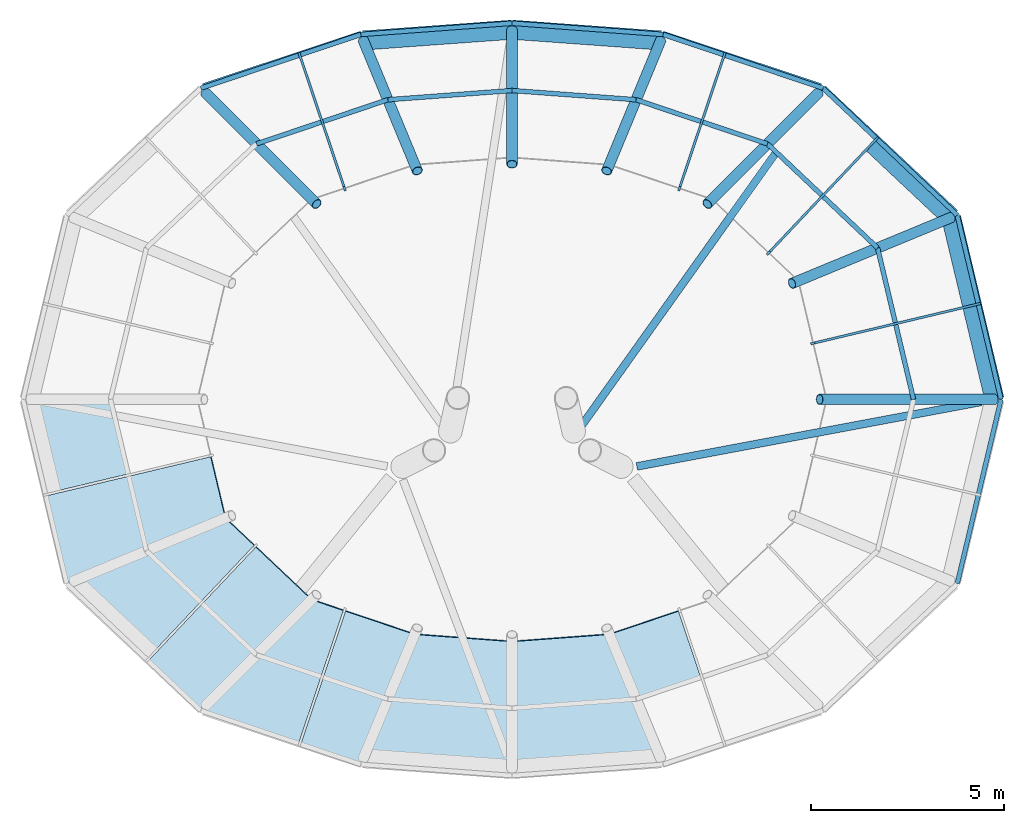
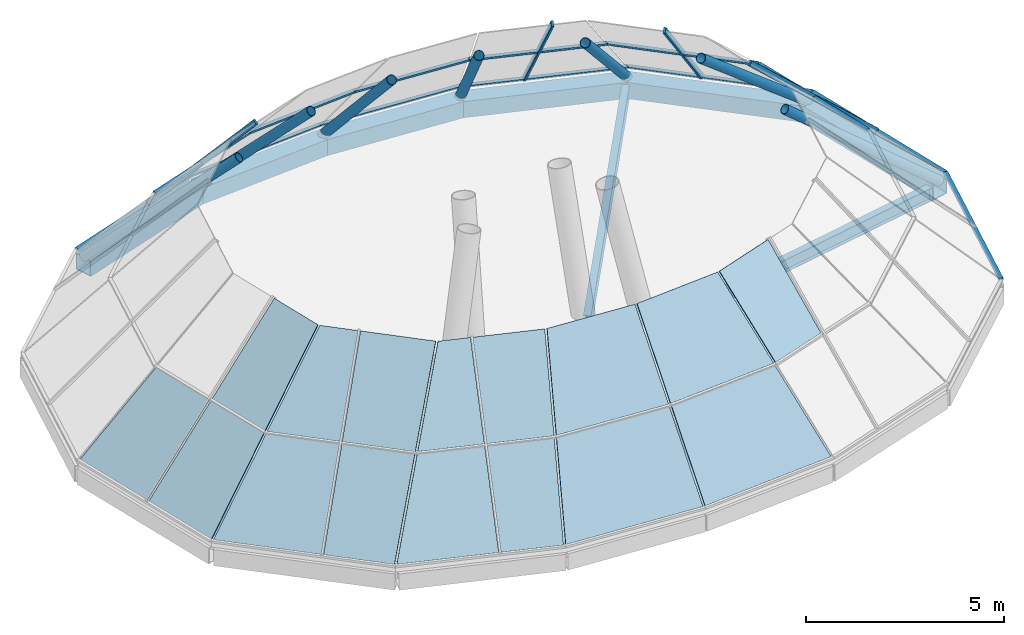
# One storey, part 2 of 3: 24 members, 16 plates, 8 beams, 13 elements without a shape of their own.
"""IFC4 building model written with IfcOpenShell, lengths in metres."""

from ifc_helpers import new_model, si_unit, direction, frame, origin, origin_2d, place, context, subcontext, project, spatial, polyline, rectangle, hollow_rectangle, hollow_circle, i_section, outline, extrude, material, layer, layer_set, material_profile, profile_set, type_object, element, aggregate, save


model = new_model("IFC4")

# Units and contexts
model_context = context("Model", 3, precision=1e-05, world=origin(), true_north=direction((0.0, 1.0)))
body_context = subcontext(model_context, "Body", "Model", "MODEL_VIEW")
ifc_project = project(units=[si_unit("LENGTHUNIT", "METRE"), si_unit("AREAUNIT", "SQUARE_METRE"), si_unit("VOLUMEUNIT", "CUBIC_METRE"), si_unit("PLANEANGLEUNIT", "RADIAN"), si_unit("MASSUNIT", "GRAM", prefix="KILO")], contexts=[model_context])

# Site, building, storey
site_placement = place(None, origin())
site = spatial("IfcSite", under=ifc_project, at=site_placement, CompositionType="ELEMENT")
building_placement = place(site_placement, origin())
building = spatial("IfcBuilding", under=site, at=building_placement, Name="Rubra Terraces Tower", CompositionType="ELEMENT")
storey_placement = place(building_placement, frame((0.0, 0.0, 328.800048828125)))
storey = spatial("IfcBuildingStorey", under=building, at=storey_placement, Name="L81", CompositionType="ELEMENT", Elevation=328.800048828125)

# Members
ifc_material_1 = material(Name="Steel Q355B", Category="steel")
ifc_material_profile_1 = material_profile(ifc_material_1, hollow_circle(Radius=0.136474609375, WallThickness=0.011962890625, at=origin_2d()), Name="CHS 273x12")
ifc_profile_set_1 = profile_set([ifc_material_profile_1], Name="Steel Q355B")
member_type_1 = type_object("IfcMemberType", Name="CROWN POST CHS 273x12", PredefinedType="POST", material=ifc_profile_set_1)
member_1_placement = place(storey_placement, frame((12.478515625, 0.0, -0.199951171875), z_axis=(-0.765729286348, 0.0, 0.643163012019), x_axis=(0.0, -1.0, 0.0)))
element("IfcMember", 1, at=member_1_placement, inside=storey, type_object=member_type_1, Name="CROWN POST", PredefinedType="POST", context=body_context, shape_type="SweptSolid", body=[
    extrude(hollow_circle(Radius=0.136474609375, WallThickness=0.011962890625, at=origin_2d()), origin(), (0.0, 0.0, 1.0), 5.907958984375),
])
member_2_placement = place(storey_placement, frame((11.358154296875, 4.705322265625, -0.199951171875), z_axis=(-0.703056626744, -0.291276439657, 0.648744491531), x_axis=(0.38275168109, -0.92385126001, 0.0)))
element("IfcMember", 2, at=member_2_placement, inside=storey, type_object=member_type_1, Name="CROWN POST", PredefinedType="POST", context=body_context, shape_type="SweptSolid", body=[
    extrude(hollow_circle(Radius=0.136474609375, WallThickness=0.011962890625, at=origin_2d()), origin(), (0.0, 0.0, 1.0), 5.857177734375),
])
member_3_placement = place(storey_placement, frame((7.92822265625, 7.92822265625, -0.199951171875), z_axis=(-0.516862468612, -0.516862468612, 0.682426829104), x_axis=(0.707106781187, -0.707106781187, 0.0)))
element("IfcMember", 3, at=member_3_placement, inside=storey, type_object=member_type_1, Name="CROWN POST", PredefinedType="POST", context=body_context, shape_type="SweptSolid", body=[
    extrude(hollow_circle(Radius=0.136474609375, WallThickness=0.011962890625, at=origin_2d()), origin(), (0.0, 0.0, 1.0), 5.568115234375),
])
member_4_placement = place(storey_placement, frame((3.84521484375, 9.283203125, -0.199951171875), z_axis=(-0.265183902828, -0.640405694779, 0.720803748448), x_axis=(0.923920752159, -0.38258390417, 0.0)))
element("IfcMember", 4, at=member_4_placement, inside=storey, type_object=member_type_1, Name="CROWN POST", PredefinedType="POST", context=body_context, shape_type="SweptSolid", body=[
    extrude(hollow_circle(Radius=0.136474609375, WallThickness=0.011962890625, at=origin_2d()), origin(), (0.0, 0.0, 1.0), 5.271728515625),
])
member_5_placement = place(storey_placement, frame((0.0, 9.560546875, -0.199951171875), z_axis=(0.0, -0.675389841881, 0.737460888104), x_axis=(1.0, 0.0, 0.0)))
element("IfcMember", 5, at=member_5_placement, inside=storey, type_object=member_type_1, Name="CROWN POST", PredefinedType="POST", context=body_context, shape_type="SweptSolid", body=[
    extrude(hollow_circle(Radius=0.136474609375, WallThickness=0.011962890625, at=origin_2d()), origin(), (0.0, 0.0, 1.0), 5.152587890625),
])
member_6_placement = place(storey_placement, frame((-3.84521484375, 9.283203125, -0.199951171875), z_axis=(0.265183902828, -0.640405694779, 0.720803748448), x_axis=(0.923920752159, 0.38258390417, 0.0)))
element("IfcMember", 6, at=member_6_placement, inside=storey, type_object=member_type_1, Name="CROWN POST", PredefinedType="POST", context=body_context, shape_type="SweptSolid", body=[
    extrude(hollow_circle(Radius=0.136474609375, WallThickness=0.011962890625, at=origin_2d()), origin(), (0.0, 0.0, 1.0), 5.271728515625),
])
member_7_placement = place(storey_placement, frame((-7.92822265625, 7.92822265625, -0.199951171875), z_axis=(0.516862468612, -0.516862468612, 0.682426829104), x_axis=(0.707106781187, 0.707106781187, 0.0)))
element("IfcMember", 7, at=member_7_placement, inside=storey, type_object=member_type_1, Name="CROWN POST", PredefinedType="POST", context=body_context, shape_type="SweptSolid", body=[
    extrude(hollow_circle(Radius=0.136474609375, WallThickness=0.011962890625, at=origin_2d()), origin(), (0.0, 0.0, 1.0), 5.568115234375),
])

# Beams
ifc_material_profile_2 = material_profile(ifc_material_1, hollow_rectangle(XDim=0.5, YDim=0.5, WallThickness=0.02490234375, at=origin_2d()), Name="BOX 500x500x25")
ifc_profile_set_2 = profile_set([ifc_material_profile_2], Name="Steel Q355B")
beam_type_1 = type_object("IfcBeamType", Name="CROWN RING GIRDER BOX 500x500x25", PredefinedType="BEAM", material=ifc_profile_set_2)
beam_1_placement = place(storey_placement, frame((12.47900390625, 0.0, -0.449951171875), z_axis=(-0.231784299175, 0.972767206816, 0.0), x_axis=(-0.972767206816, -0.231784299175, 0.0)))
element("IfcBeam", 8, at=beam_1_placement, inside=storey, type_object=beam_type_1, Name="CROWN RING GIRDER", PredefinedType="BEAM", context=body_context, shape_type="SweptSolid", body=[
    extrude(hollow_rectangle(XDim=0.5, YDim=0.5, WallThickness=0.02490234375, at=origin_2d()), origin(), (0.0, 0.0, 1.0), 4.8369140625),
])
beam_2_placement = place(storey_placement, frame((11.35791015625, 4.705078125, -0.449951171875), z_axis=(-0.728758642516, 0.684770648435, 0.0), x_axis=(-0.684770648435, -0.728758642516, 0.0)))
element("IfcBeam", 9, at=beam_2_placement, inside=storey, type_object=beam_type_1, Name="CROWN RING GIRDER", PredefinedType="BEAM", context=body_context, shape_type="SweptSolid", body=[
    extrude(hollow_rectangle(XDim=0.5, YDim=0.5, WallThickness=0.02490234375, at=origin_2d()), origin(), (0.0, 0.0, 1.0), 4.70654296875),
])
beam_3_placement = place(storey_placement, frame((7.927978515625, 7.927978515625, -0.449951171875), z_axis=(-0.949102418306, 0.314967616694, 0.0), x_axis=(-0.314967616694, -0.949102418306, 0.0)))
element("IfcBeam", 10, at=beam_3_placement, inside=storey, type_object=beam_type_1, Name="CROWN RING GIRDER", PredefinedType="BEAM", context=body_context, shape_type="SweptSolid", body=[
    extrude(hollow_rectangle(XDim=0.5, YDim=0.5, WallThickness=0.02490234375, at=origin_2d()), origin(), (0.0, 0.0, 1.0), 4.302001953125),
])
for number, where, z_axis, x_axis, name in (
    (11, (3.844970703125, 9.282958984375, -0.449951171875), (-0.997394975087, 0.072133651446, 0.0), (-0.072133651446, -0.997394975087, 0.0), "CROWN RING GIRDER"),
    (12, (0.0, 9.56103515625, -0.449951171875), (-0.997394975087, -0.072133651446, 0.0), (0.072133651446, -0.997394975087, 0.0), "CROWN RING GIRDER"),
):
    element("IfcBeam", number, at=place(storey_placement, frame(where, z_axis=z_axis, x_axis=x_axis)), inside=storey, type_object=beam_type_1, Name=name, PredefinedType="BEAM", context=body_context, shape_type="SweptSolid", body=[
        extrude(hollow_rectangle(XDim=0.5, YDim=0.5, WallThickness=0.02490234375, at=origin_2d()), origin(), (0.0, 0.0, 1.0), 3.85498046875),
    ])
beam_4_placement = place(storey_placement, frame((-3.844970703125, 9.282958984375, -0.449951171875), z_axis=(-0.949102418306, -0.314967616694, 0.0), x_axis=(0.314967616694, -0.949102418306, 0.0)))
element("IfcBeam", 13, at=beam_4_placement, inside=storey, type_object=beam_type_1, Name="CROWN RING GIRDER", PredefinedType="BEAM", context=body_context, shape_type="SweptSolid", body=[
    extrude(hollow_rectangle(XDim=0.5, YDim=0.5, WallThickness=0.02490234375, at=origin_2d()), origin(), (0.0, 0.0, 1.0), 4.302001953125),
])

# Curtain wall, member
ifc_material_2 = material(Name="Aluminium and glass", Category="aluminium")
curtain_wall_type = type_object("IfcCurtainWallType", Name="Curtain wall Crown glazing", PredefinedType="NOTDEFINED", material=ifc_material_2)
curtain_wall_1_placement = place(storey_placement, origin())
curtain_wall_1 = element("IfcCurtainWall", 14, at=curtain_wall_1_placement, inside=storey, type_object=curtain_wall_type, Name="Crown glazing L81 facet 1", PredefinedType="NOTDEFINED")
ifc_material_3 = material(Name="Aluminium, anodised dark grey", Category="aluminium")
ifc_material_profile_3 = material_profile(ifc_material_3, rectangle(XDim=0.06005859375, YDim=0.159912109375, at=origin_2d()), Name="AL 60x160")
ifc_profile_set_3 = profile_set([ifc_material_profile_3], Name="Aluminium, anodised dark grey")
member_type_2 = type_object("IfcMemberType", Name="Crown glazing mullion 60 x 160", PredefinedType="MULLION", material=ifc_profile_set_3)
member_8_placement = place(storey_placement, frame((12.05908203125, 2.466552734375, 0.0), z_axis=(-0.703863836349, -0.167187225168, 0.690379701049), x_axis=(0.231098029576, -0.972930470653, 0.0)))
member_8 = element("IfcMember", 15, at=member_8_placement, type_object=member_type_2, Name="Crown glazing L81 facet 1 mullion 1", PredefinedType="MULLION", context=body_context, shape_type="SweptSolid", body=[
    extrude(rectangle(XDim=0.06005859375, YDim=0.159912109375, at=origin_2d()), origin(), (0.0, 0.0, 1.0), 6.08349609375),
])

curtain_wall_2_placement = place(storey_placement, origin())
curtain_wall_2 = element("IfcCurtainWall", 16, at=curtain_wall_2_placement, inside=storey, type_object=curtain_wall_type, Name="Crown glazing L81 facet 2", PredefinedType="NOTDEFINED")
member_9_placement = place(storey_placement, frame((9.427490234375, 6.73974609375, 0.0), z_axis=(-0.478007408071, -0.505604831141, 0.718242767145), x_axis=(0.726660270394, -0.686996980656, 0.0)))
member_9 = element("IfcMember", 17, at=member_9_placement, type_object=member_type_2, Name="Crown glazing L81 facet 2 mullion 1", PredefinedType="MULLION", context=body_context, shape_type="SweptSolid", body=[
    extrude(rectangle(XDim=0.06005859375, YDim=0.159912109375, at=origin_2d()), origin(), (0.0, 0.0, 1.0), 5.84765625),
])

curtain_wall_3_placement = place(storey_placement, origin())
curtain_wall_3 = element("IfcCurtainWall", 18, at=curtain_wall_3_placement, inside=storey, type_object=curtain_wall_type, Name="Crown glazing L81 facet 3", PredefinedType="NOTDEFINED")
member_10_placement = place(storey_placement, frame((5.489501953125, 8.905517578125, 0.0), z_axis=(-0.208923002794, -0.621281432138, 0.755222193122), x_axis=(0.94784277477, -0.318738253613, 0.0)))
member_10 = element("IfcMember", 19, at=member_10_placement, type_object=member_type_2, Name="Crown glazing L81 facet 3 mullion 1", PredefinedType="MULLION", context=body_context, shape_type="SweptSolid", body=[
    extrude(rectangle(XDim=0.06005859375, YDim=0.159912109375, at=origin_2d()), origin(), (0.0, 0.0, 1.0), 5.561279296875),
])

curtain_wall_4_placement = place(storey_placement, origin())
curtain_wall_4 = element("IfcCurtainWall", 20, at=curtain_wall_4_placement, inside=storey, type_object=curtain_wall_type, Name="Crown glazing L81 facet 6", PredefinedType="NOTDEFINED")
member_11_placement = place(storey_placement, frame((-5.489501953125, 8.905517578125, 0.0), z_axis=(0.208923002794, -0.621281432138, 0.755222193122), x_axis=(0.94784277477, 0.318738253613, 0.0)))
member_11 = element("IfcMember", 21, at=member_11_placement, type_object=member_type_2, Name="Crown glazing L81 facet 6 mullion 1", PredefinedType="MULLION", context=body_context, shape_type="SweptSolid", body=[
    extrude(rectangle(XDim=0.06005859375, YDim=0.159912109375, at=origin_2d()), origin(), (0.0, 0.0, 1.0), 5.561279296875),
])

# Member
ifc_material_profile_4 = material_profile(ifc_material_3, rectangle(XDim=0.1201171875, YDim=0.06005859375, at=origin_2d()), Name="AL 120x60")
ifc_profile_set_4 = profile_set([ifc_material_profile_4], Name="Aluminium, anodised dark grey")
member_type_3 = type_object("IfcMemberType", Name="Crown glazing transom 120 x 60", PredefinedType="USERDEFINED", material=ifc_profile_set_4)
member_12_placement = place(storey_placement, frame((12.64501953125, 0.0, 0.0), z_axis=(-0.231151401248, 0.972917791851, 0.0), x_axis=(-0.972917791851, -0.231151401248, 0.0)))
member_12 = element("IfcMember", 22, at=member_12_placement, type_object=member_type_3, Name="Crown glazing L81 facet 1 transom 1", ObjectType="TRANSOM", PredefinedType="USERDEFINED", context=body_context, shape_type="SweptSolid", body=[
    extrude(rectangle(XDim=0.1201171875, YDim=0.06005859375, at=origin_2d()), origin(), (0.0, 0.0, 1.0), 4.90185546875),
])

member_13_placement = place(storey_placement, frame((10.38330078125, 0.0, 2.099853515625), z_axis=(-0.231158555304, 0.972916092122, 0.0), x_axis=(-0.972916092122, -0.231158555304, 0.0)))
member_13 = element("IfcMember", 23, at=member_13_placement, type_object=member_type_3, Name="Crown glazing L81 facet 1 transom 2", ObjectType="TRANSOM", PredefinedType="USERDEFINED", context=body_context, shape_type="SweptSolid", body=[
    extrude(rectangle(XDim=0.1201171875, YDim=0.06005859375, at=origin_2d()), origin(), (0.0, 0.0, 1.0), 4.025146484375),
])

aggregate(curtain_wall_1, [member_8, member_12, member_13])

member_14_placement = place(storey_placement, frame((11.511962890625, 4.76904296875, 0.0), z_axis=(-0.726662449999, 0.686994675206, 0.0), x_axis=(-0.686994675206, -0.726662449999, 0.0)))
member_14 = element("IfcMember", 24, at=member_14_placement, type_object=member_type_3, Name="Crown glazing L81 facet 2 transom 1", ObjectType="TRANSOM", PredefinedType="USERDEFINED", context=body_context, shape_type="SweptSolid", body=[
    extrude(rectangle(XDim=0.1201171875, YDim=0.06005859375, at=origin_2d()), origin(), (0.0, 0.0, 1.0), 4.769775390625),
])

member_15_placement = place(storey_placement, frame((9.452880859375, 3.916015625, 2.099853515625), z_axis=(-0.726620628193, 0.687038909149, 0.0), x_axis=(-0.687038909149, -0.726620628193, 0.0)))
member_15 = element("IfcMember", 25, at=member_15_placement, type_object=member_type_3, Name="Crown glazing L81 facet 2 transom 2", ObjectType="TRANSOM", PredefinedType="USERDEFINED", context=body_context, shape_type="SweptSolid", body=[
    extrude(rectangle(XDim=0.1201171875, YDim=0.06005859375, at=origin_2d()), origin(), (0.0, 0.0, 1.0), 3.916748046875),
])

aggregate(curtain_wall_2, [member_9, member_14, member_15])

member_16_placement = place(storey_placement, frame((8.0458984375, 8.0458984375, 0.0), z_axis=(-0.947846546939, 0.318727035967, 0.0), x_axis=(-0.318727035967, -0.947846546939, 0.0)))
member_16 = element("IfcMember", 26, at=member_16_placement, type_object=member_type_3, Name="Crown glazing L81 facet 3 transom 1", ObjectType="TRANSOM", PredefinedType="USERDEFINED", context=body_context, shape_type="SweptSolid", body=[
    extrude(rectangle(XDim=0.1201171875, YDim=0.06005859375, at=origin_2d()), origin(), (0.0, 0.0, 1.0), 4.364501953125),
])

member_17_placement = place(storey_placement, frame((6.60693359375, 6.60693359375, 2.099853515625), z_axis=(-0.947862652845, 0.318679135404, 0.0), x_axis=(-0.318679135404, -0.947862652845, 0.0)))
member_17 = element("IfcMember", 27, at=member_17_placement, type_object=member_type_3, Name="Crown glazing L81 facet 3 transom 2", ObjectType="TRANSOM", PredefinedType="USERDEFINED", context=body_context, shape_type="SweptSolid", body=[
    extrude(rectangle(XDim=0.1201171875, YDim=0.06005859375, at=origin_2d()), origin(), (0.0, 0.0, 1.0), 3.583740234375),
])

aggregate(curtain_wall_3, [member_10, member_16, member_17])

# Curtain wall, members
curtain_wall_5_placement = place(storey_placement, origin())
curtain_wall_5 = element("IfcCurtainWall", 28, at=curtain_wall_5_placement, inside=storey, type_object=curtain_wall_type, Name="Crown glazing L81 facet 4", PredefinedType="NOTDEFINED")
member_18_placement = place(storey_placement, frame((3.908935546875, 9.43701171875, 0.0), z_axis=(-0.997258569584, 0.073995576833, 0.0), x_axis=(-0.073995576833, -0.997258569584, 0.0)))
member_18 = element("IfcMember", 29, at=member_18_placement, type_object=member_type_3, Name="Crown glazing L81 facet 4 transom 1", ObjectType="TRANSOM", PredefinedType="USERDEFINED", context=body_context, shape_type="SweptSolid", body=[
    extrude(rectangle(XDim=0.1201171875, YDim=0.06005859375, at=origin_2d()), origin(), (0.0, 0.0, 1.0), 3.919677734375),
])
member_19_placement = place(storey_placement, frame((3.2099609375, 7.748779296875, 2.099853515625), z_axis=(-0.99725615278, 0.074028141551, 0.0), x_axis=(-0.074028141551, -0.99725615278, 0.0)))
member_19 = element("IfcMember", 30, at=member_19_placement, type_object=member_type_3, Name="Crown glazing L81 facet 4 transom 2", ObjectType="TRANSOM", PredefinedType="USERDEFINED", context=body_context, shape_type="SweptSolid", body=[
    extrude(rectangle(XDim=0.1201171875, YDim=0.06005859375, at=origin_2d()), origin(), (0.0, 0.0, 1.0), 3.21875),
])
aggregate(curtain_wall_5, [member_18, member_19])

curtain_wall_6_placement = place(storey_placement, origin())
curtain_wall_6 = element("IfcCurtainWall", 31, at=curtain_wall_6_placement, inside=storey, type_object=curtain_wall_type, Name="Crown glazing L81 facet 5", PredefinedType="NOTDEFINED")
member_20_placement = place(storey_placement, frame((0.0, 9.72705078125, 0.0), z_axis=(-0.997258569584, -0.073995576833, 0.0), x_axis=(0.073995576833, -0.997258569584, 0.0)))
member_20 = element("IfcMember", 32, at=member_20_placement, type_object=member_type_3, Name="Crown glazing L81 facet 5 transom 1", ObjectType="TRANSOM", PredefinedType="USERDEFINED", context=body_context, shape_type="SweptSolid", body=[
    extrude(rectangle(XDim=0.1201171875, YDim=0.06005859375, at=origin_2d()), origin(), (0.0, 0.0, 1.0), 3.919677734375),
])
member_21_placement = place(storey_placement, frame((0.0, 7.987060546875, 2.099853515625), z_axis=(-0.99725615278, -0.074028141551, 0.0), x_axis=(0.074028141551, -0.99725615278, 0.0)))
member_21 = element("IfcMember", 33, at=member_21_placement, type_object=member_type_3, Name="Crown glazing L81 facet 5 transom 2", ObjectType="TRANSOM", PredefinedType="USERDEFINED", context=body_context, shape_type="SweptSolid", body=[
    extrude(rectangle(XDim=0.1201171875, YDim=0.06005859375, at=origin_2d()), origin(), (0.0, 0.0, 1.0), 3.21875),
])
aggregate(curtain_wall_6, [member_20, member_21])

# Member
member_22_placement = place(storey_placement, frame((-3.908935546875, 9.43701171875, 0.0), z_axis=(-0.947846546939, -0.318727035967, 0.0), x_axis=(0.318727035967, -0.947846546939, 0.0)))
member_22 = element("IfcMember", 34, at=member_22_placement, type_object=member_type_3, Name="Crown glazing L81 facet 6 transom 1", ObjectType="TRANSOM", PredefinedType="USERDEFINED", context=body_context, shape_type="SweptSolid", body=[
    extrude(rectangle(XDim=0.1201171875, YDim=0.06005859375, at=origin_2d()), origin(), (0.0, 0.0, 1.0), 4.364501953125),
])

member_23_placement = place(storey_placement, frame((-3.2099609375, 7.7490234375, 2.099853515625), z_axis=(-0.947862652845, -0.318679135404, 0.0), x_axis=(0.318679135404, -0.947862652845, 0.0)))
member_23 = element("IfcMember", 35, at=member_23_placement, type_object=member_type_3, Name="Crown glazing L81 facet 6 transom 2", ObjectType="TRANSOM", PredefinedType="USERDEFINED", context=body_context, shape_type="SweptSolid", body=[
    extrude(rectangle(XDim=0.1201171875, YDim=0.06005859375, at=origin_2d()), origin(), (0.0, 0.0, 1.0), 3.583740234375),
])

aggregate(curtain_wall_4, [member_11, member_22, member_23])

# Curtain wall, member
curtain_wall_7_placement = place(storey_placement, origin())
curtain_wall_7 = element("IfcCurtainWall", 36, at=curtain_wall_7_placement, inside=storey, type_object=curtain_wall_type, Name="Crown glazing L81 facet 16", PredefinedType="NOTDEFINED")
member_24_placement = place(storey_placement, frame((11.511962890625, -4.76904296875, 0.0), z_axis=(0.231151401248, 0.972917791851, 0.0), x_axis=(-0.972917791851, 0.231151401248, 0.0)))
member_24 = element("IfcMember", 37, at=member_24_placement, type_object=member_type_3, Name="Crown glazing L81 facet 16 transom 1", ObjectType="TRANSOM", PredefinedType="USERDEFINED", context=body_context, shape_type="SweptSolid", body=[
    extrude(rectangle(XDim=0.1201171875, YDim=0.06005859375, at=origin_2d()), origin(), (0.0, 0.0, 1.0), 4.90185546875),
])
aggregate(curtain_wall_7, [member_24])

# Beams
ifc_material_profile_5 = material_profile(ifc_material_1, i_section(OverallWidth=0.199951171875, OverallDepth=0.39990234375, WebThickness=0.008056640625, FlangeThickness=0.012939453125, at=origin_2d()), Name="HN 400x200x8x13")
ifc_profile_set_5 = profile_set([ifc_material_profile_5], Name="Steel Q355B")
beam_type_2 = type_object("IfcBeamType", Name="FLOOR BEAM HN 400x200x8x13", PredefinedType="BEAM", material=ifc_profile_set_5)
beam_5_placement = place(storey_placement, frame((12.134033203125, -0.06396484375, -0.400146484375), z_axis=(-0.982874931719, -0.184273895594, 0.0), x_axis=(0.184273895594, -0.982874931719, 0.0)))
element("IfcBeam", 38, at=beam_5_placement, inside=storey, type_object=beam_type_2, Name="beam-L81-crown-floor-01", PredefinedType="BEAM", context=body_context, shape_type="SweptSolid", body=[
    extrude(i_section(OverallWidth=0.199951171875, OverallDepth=0.39990234375, WebThickness=0.008056640625, FlangeThickness=0.012939453125, at=origin_2d()), origin(), (0.0, 0.0, 1.0), 9.062255859375),
])
ifc_material_profile_6 = material_profile(ifc_material_1, i_section(OverallWidth=0.198974609375, OverallDepth=0.446044921875, WebThickness=0.008056640625, FlangeThickness=0.011962890625, at=origin_2d()), Name="HN 446x199x8x12")
ifc_profile_set_6 = profile_set([ifc_material_profile_6], Name="Steel Q355B")
beam_type_3 = type_object("IfcBeamType", Name="FLOOR BEAM HN 446x199x8x12", PredefinedType="BEAM", material=ifc_profile_set_6)
beam_6_placement = place(storey_placement, frame((7.72509765625, 7.64306640625, -0.423095703125), z_axis=(-0.580022095206, -0.814600742126, 0.0), x_axis=(0.814600742126, -0.580022095206, 0.0)))
element("IfcBeam", 39, at=beam_6_placement, inside=storey, type_object=beam_type_3, Name="beam-L81-crown-floor-03", PredefinedType="BEAM", context=body_context, shape_type="SweptSolid", body=[
    extrude(i_section(OverallWidth=0.198974609375, OverallDepth=0.446044921875, WebThickness=0.008056640625, FlangeThickness=0.011962890625, at=origin_2d()), origin(), (0.0, 0.0, 1.0), 10.222412109375),
])

# Curtain wall, plates
curtain_wall_8_placement = place(storey_placement, origin())
curtain_wall_8 = element("IfcCurtainWall", 40, at=curtain_wall_8_placement, inside=storey, type_object=curtain_wall_type, Name="Crown glazing L81 facet 9", PredefinedType="NOTDEFINED")
ifc_material_4 = material(Name="Clear glass, laminated", Category="glass")
ifc_layer = layer(ifc_material_4, 0.028076171875)
ifc_layer_set = layer_set([ifc_layer], Name="Clear glass, laminated")
plate_type = type_object("IfcPlateType", Name="Crown glazing glass panel 28", PredefinedType="CURTAIN_PANEL", material=ifc_layer_set)
plate_1_placement = place(storey_placement, frame((-12.6162109375, -0.029296875, 0.020263671875), z_axis=(-0.671698110267, -0.159578264564, 0.723433774538), x_axis=(0.231156493778, -0.972916581805, 1.5261046e-05)))
plate_1 = element("IfcPlate", 41, at=plate_1_placement, type_object=plate_type, Name="Crown glazing L81 facet 9 panel 1.1", PredefinedType="CURTAIN_PANEL", context=body_context, shape_type="SweptSolid", body=[
    extrude(outline(polyline([(0.0, 0.0), (2.470230925350674, 5.551115123125783e-17), (2.4702736109680394, 2.9827737849064793), (0.5127405939679447, 2.9828716599315426), (0.0, 0.0)])), origin(), (0.0, 0.0, -1.0), 0.028076171875),
])
plate_2_placement = place(storey_placement, frame((-12.03125, -2.490966796875, 0.020263671875), z_axis=(-0.671707026347, -0.159624915282, 0.723415203861), x_axis=(0.231210994896, -0.972903631282, 8.833266e-06)))
plate_2 = element("IfcPlate", 42, at=plate_2_placement, type_object=plate_type, Name="Crown glazing L81 facet 9 panel 2.1", PredefinedType="CURTAIN_PANEL", context=body_context, shape_type="SweptSolid", body=[
    extrude(outline(polyline([(0.0, 0.0), (2.3028827646827654, 5.551115123125783e-17), (1.955964208924267, 2.9827192952484767), (0.00015032592690593808, 2.982773781746493), (0.0, 0.0)])), origin(), (0.0, 0.0, -1.0), 0.028076171875),
])
plate_3_placement = place(storey_placement, frame((-9.890380859375, -1.982177734375, 2.120361328125), z_axis=(-0.671663504589, -0.159621536706, 0.723456357787), x_axis=(0.231221733871, -0.972901079085, 1.000033e-05)))
plate_3 = element("IfcPlate", 43, at=plate_3_placement, type_object=plate_type, Name="Crown glazing L81 facet 9 panel 2.2", PredefinedType="CURTAIN_PANEL", context=body_context, shape_type="SweptSolid", body=[
    extrude(outline(polyline([(0.0, 0.0), (1.9490620122028204, 0.0), (1.6021696745429894, 2.982553790623423), (0.0001765448642833425, 2.982605229294717), (0.0, 0.0)])), origin(), (0.0, 0.0, -1.0), 0.028076171875),
])
aggregate(curtain_wall_8, [plate_1, plate_2, plate_3])

curtain_wall_9_placement = place(storey_placement, origin())
curtain_wall_9 = element("IfcCurtainWall", 44, at=curtain_wall_9_placement, inside=storey, type_object=curtain_wall_type, Name="Crown glazing L81 facet 10", PredefinedType="NOTDEFINED")
plate_4_placement = place(storey_placement, frame((-11.469970703125, -4.78125, 0.0205078125), z_axis=(-0.49344720409, -0.521910296874, 0.695786963655), x_axis=(0.726634990654, -0.687023718804, -1.2573544e-05)))
plate_4 = element("IfcPlate", 45, at=plate_4_placement, type_object=plate_type, Name="Crown glazing L81 facet 10 panel 1.1", PredefinedType="CURTAIN_PANEL", context=body_context, shape_type="SweptSolid", body=[
    extrude(outline(polyline([(0.0, 0.0), (2.7994862301919943, 1.1102230246251565e-16), (2.7995651791718936, 2.8665202957685554), (0.8922499592589556, 2.8664378992161756), (0.0, 0.0)])), origin(), (0.0, 0.0, -1.0), 0.028076171875),
])
plate_5_placement = place(storey_placement, frame((-9.4111328125, -3.92822265625, 2.12060546875), z_axis=(-0.493445055649, -0.52193523552, 0.695769780156), x_axis=(0.726661559429, -0.686995617197, 4.80571e-07)))
plate_5 = element("IfcPlate", 46, at=plate_5_placement, type_object=plate_type, Name="Crown glazing L81 facet 10 panel 1.2", PredefinedType="CURTAIN_PANEL", context=body_context, shape_type="SweptSolid", body=[
    extrude(outline(polyline([(0.0, 0.0), (1.889526442105839, 0.0), (1.8895319939832567, 2.8664035920775617), (0.8923539641394455, 2.866405523491513), (0.0, 0.0)])), origin(), (0.0, 0.0, -1.0), 0.028076171875),
])
plate_6_placement = place(storey_placement, frame((-9.39208984375, -6.745849609375, 0.0205078125), z_axis=(-0.493425866514, -0.52193512498, 0.695783471754), x_axis=(0.726660439215, -0.686996801764, -2.113403e-05)))
plate_6 = element("IfcPlate", 47, at=plate_6_placement, type_object=plate_type, Name="Crown glazing L81 facet 10 panel 2.1", PredefinedType="CURTAIN_PANEL", context=body_context, shape_type="SweptSolid", body=[
    extrude(outline(polyline([(0.0, 0.0), (1.8418596072550337, -1.1102230246251565e-16), (1.8977770724783045, 2.866513628552412), (-4.22006033324475e-05, 2.8664035912266246), (0.0, 0.0)])), origin(), (0.0, 0.0, -1.0), 0.028076171875),
])
plate_7_placement = place(storey_placement, frame((-7.994384765625, -5.267578125, 2.12060546875), z_axis=(-0.493484649731, -0.521878787253, 0.695784041133), x_axis=(0.726582424708, -0.687079311033, -2.1334538e-05)))
plate_7 = element("IfcPlate", 48, at=plate_7_placement, type_object=plate_type, Name="Crown glazing L81 facet 10 panel 2.2", PredefinedType="CURTAIN_PANEL", context=body_context, shape_type="SweptSolid", body=[
    extrude(outline(polyline([(0.0, 0.0), (1.898845000045893, 1.1102230246251565e-16), (1.9545355712771488, 2.866518045575426), (-0.00026907641486176634, 2.86640357886247), (0.0, 0.0)])), origin(), (0.0, 0.0, -1.0), 0.028076171875),
])
aggregate(curtain_wall_9, [plate_4, plate_5, plate_6, plate_7])

curtain_wall_10_placement = place(storey_placement, origin())
curtain_wall_10 = element("IfcCurtainWall", 49, at=curtain_wall_10_placement, inside=storey, type_object=curtain_wall_type, Name="Crown glazing L81 facet 11", PredefinedType="NOTDEFINED")
plate_8_placement = place(storey_placement, frame((-8.002685546875, -8.040771484375, 0.021484375), z_axis=(-0.240749701374, -0.71579253895, 0.655500284113), x_axis=(0.947828993256, -0.31877923289, 1.4875059e-05)))
plate_8 = element("IfcPlate", 50, at=plate_8_placement, type_object=plate_type, Name="Crown glazing L81 facet 11 panel 1.1", PredefinedType="CURTAIN_PANEL", context=body_context, shape_type="SweptSolid", body=[
    extrude(outline(polyline([(0.0, 0.0), (2.6278034514755646, -1.1102230246251565e-16), (2.6278170848953146, 2.723595728709326), (0.8865504906563437, 2.723681786190803), (0.0, 0.0)])), origin(), (0.0, 0.0, -1.0), 0.028076171875),
])
plate_9_placement = place(storey_placement, frame((-6.563720703125, -6.601806640625, 2.121337890625), z_axis=(-0.240647760718, -0.715889250439, 0.655432098975), x_axis=(0.947882082543, -0.318621338646, 1.2372436e-05)))
plate_9 = element("IfcPlate", 51, at=plate_9_placement, type_object=plate_type, Name="Crown glazing L81 facet 11 panel 1.2", PredefinedType="CURTAIN_PANEL", context=body_context, shape_type="SweptSolid", body=[
    extrude(outline(polyline([(0.0, 0.0), (1.7225820647765742, 5.551115123125783e-17), (1.7226565287196975, 2.7237291112008757), (0.8868427498341181, 2.7237710223777847), (0.0, 0.0)])), origin(), (0.0, 0.0, -1.0), 0.028076171875),
])
plate_10_placement = place(storey_placement, frame((-5.455078125, -8.8974609375, 0.021484375), z_axis=(-0.240686642888, -0.715820518102, 0.655492887681), x_axis=(0.947850152961, -0.318716311712, -1.3431266e-05)))
plate_10 = element("IfcPlate", 52, at=plate_10_placement, type_object=plate_type, Name="Crown glazing L81 facet 11 panel 2.1", PredefinedType="CURTAIN_PANEL", context=body_context, shape_type="SweptSolid", body=[
    extrude(outline(polyline([(0.0, 0.0), (1.6085518700773938, 0.0), (1.730685575577795, 2.7236551152612183), (7.39237460681814e-05, 2.7235957281936045), (0.0, 0.0)])), origin(), (0.0, 0.0, -1.0), 0.028076171875),
])
plate_11_placement = place(storey_placement, frame((-4.8740234375, -7.169921875, 2.121337890625), z_axis=(-0.240635472436, -0.715894384365, 0.655431003112), x_axis=(0.947881278464, -0.318623730787, -1.080257e-05)))
plate_11 = element("IfcPlate", 53, at=plate_11_placement, type_object=plate_type, Name="Crown glazing L81 facet 11 panel 2.2", PredefinedType="CURTAIN_PANEL", context=body_context, shape_type="SweptSolid", body=[
    extrude(outline(polyline([(0.0, 0.0), (1.7331591801330357, 0.0), (1.8552412547090964, 2.723780437491612), (2.228473545975941e-05, 2.7237291121719034), (0.0, 0.0)])), origin(), (0.0, 0.0, -1.0), 0.028076171875),
])
aggregate(curtain_wall_10, [plate_8, plate_9, plate_10, plate_11])

curtain_wall_11_placement = place(storey_placement, origin())
curtain_wall_11 = element("IfcCurtainWall", 54, at=curtain_wall_11_placement, inside=storey, type_object=curtain_wall_type, Name="Crown glazing L81 facet 12", PredefinedType="NOTDEFINED")
plate_12_placement = place(storey_placement, frame((-3.87158203125, -9.4208984375, 0.0224609375), z_axis=(-0.057064548464, -0.768816073524, 0.636918740814), x_axis=(0.997256710691, -0.074020625386, -3.81008e-07)))
plate_12 = element("IfcPlate", 55, at=plate_12_placement, type_object=plate_type, Name="Crown glazing L81 facet 12 panel 1.1", PredefinedType="CURTAIN_PANEL", context=body_context, shape_type="SweptSolid", body=[
    extrude(outline(polyline([(0.0, 0.0), (3.852365158661432, 5.551115123125783e-17), (3.7263522124304145, 2.6655215765537723), (0.5599513099787456, 2.6655181077530656), (0.0, 0.0)])), origin(), (0.0, 0.0, -1.0), 0.028076171875),
])
plate_13_placement = place(storey_placement, frame((-3.172607421875, -7.73291015625, 2.12255859375), z_axis=(-0.05702880885, -0.768783190519, 0.636961632233), x_axis=(0.997259752423, -0.073979633618, -2.767782e-06)))
plate_13 = element("IfcPlate", 56, at=plate_13_placement, type_object=plate_type, Name="Crown glazing L81 facet 12 panel 1.2", PredefinedType="CURTAIN_PANEL", context=body_context, shape_type="SweptSolid", body=[
    extrude(outline(polyline([(0.0, 0.0), (3.1514588239848553, 0.0), (3.0255107578544713, 2.6653364322655078), (0.5600161892604386, 2.665316265456108), (0.0, 0.0)])), origin(), (0.0, 0.0, -1.0), 0.028076171875),
])
aggregate(curtain_wall_11, [plate_12, plate_13])

curtain_wall_12_placement = place(storey_placement, origin())
curtain_wall_12 = element("IfcCurtainWall", 57, at=curtain_wall_12_placement, inside=storey, type_object=curtain_wall_type, Name="Crown glazing L81 facet 13", PredefinedType="NOTDEFINED")
plate_14_placement = place(storey_placement, frame((0.02978515625, -9.70556640625, 0.02294921875), z_axis=(0.057010619978, -0.768812076566, 0.636928394826), x_axis=(0.997261517698, 0.073955833347, 5.715564e-06)))
plate_14 = element("IfcPlate", 58, at=plate_14_placement, type_object=plate_type, Name="Crown glazing L81 facet 13 panel 1.1", PredefinedType="CURTAIN_PANEL", context=body_context, shape_type="SweptSolid", body=[
    extrude(outline(polyline([(0.0, 0.0), (3.852103622679126, 2.7755575615628914e-17), (3.2924857468449376, 2.6642561575320913), (0.12585943444181869, 2.6643081938640902), (0.0, 0.0)])), origin(), (0.0, 0.0, -1.0), 0.028076171875),
])
plate_15_placement = place(storey_placement, frame((0.02978515625, -7.9658203125, 2.123046875), z_axis=(0.057059546155, -0.768745876092, 0.63700391379), x_axis=(0.997257674319, 0.074007639911, -1.5702125e-05)))
plate_15 = element("IfcPlate", 59, at=plate_15_placement, type_object=plate_type, Name="Crown glazing L81 facet 13 panel 1.2", PredefinedType="CURTAIN_PANEL", context=body_context, shape_type="SweptSolid", body=[
    extrude(outline(polyline([(0.0, 0.0), (3.151215351550259, 2.7755575615628914e-17), (2.5916597105220305, 2.66423231425634), (0.12590360446857968, 2.664117898765735), (0.0, 0.0)])), origin(), (0.0, 0.0, -1.0), 0.028076171875),
])
aggregate(curtain_wall_12, [plate_14, plate_15])

# Curtain wall, plate
curtain_wall_13_placement = place(storey_placement, origin())
curtain_wall_13 = element("IfcCurtainWall", 60, at=curtain_wall_13_placement, inside=storey, type_object=curtain_wall_type, Name="Crown glazing L81 facet 14", PredefinedType="NOTDEFINED")
plate_16_placement = place(storey_placement, frame((3.23095703125, -7.72119140625, 2.12255859375), z_axis=(0.240685918606, -0.715840207536, 0.655471651454), x_axis=(0.947865616581, 0.318670318495, -3.1854489e-05)))
plate_16 = element("IfcPlate", 61, at=plate_16_placement, type_object=plate_type, Name="Crown glazing L81 facet 14 panel 1.2", PredefinedType="CURTAIN_PANEL", context=body_context, shape_type="SweptSolid", body=[
    extrude(outline(polyline([(0.0, 0.0), (1.7331591783217948, 5.551115123125783e-17), (1.7330551847857472, 2.720721524206221), (-0.12201016726695366, 2.7205701761306464), (0.0, 0.0)])), origin(), (0.0, 0.0, -1.0), 0.028076171875),
])
aggregate(curtain_wall_13, [plate_16])

save(model, "model.ifc")
